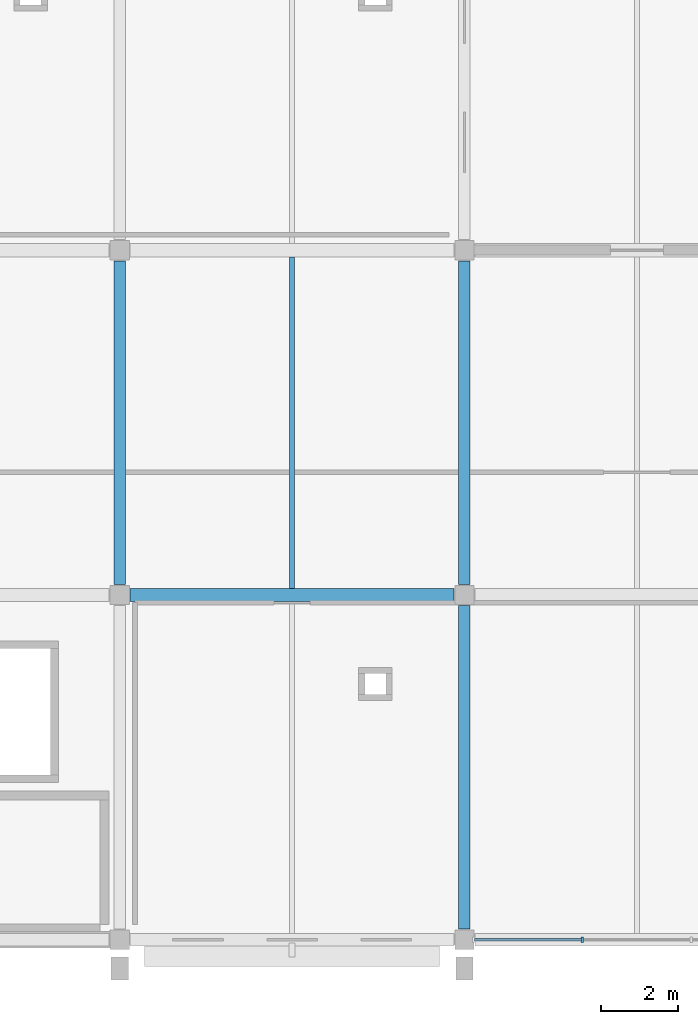
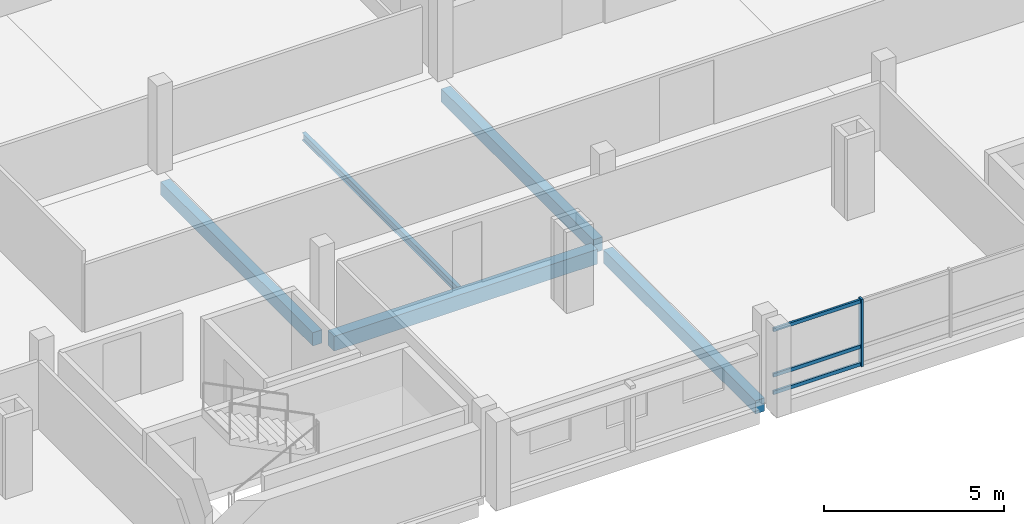
# One storey, part 3 of 25: 5 beams, 4 members, 1 element without a shape of its own.
"""IFC4 building model written with IfcOpenShell, lengths in metres."""

from ifc_helpers import new_model, si_unit, direction, frame, origin, origin_2d, place, context, subcontext, project, spatial, rectangle, i_section, extrude, material, material_profile, profile_set, type_object, element, aggregate, save


model = new_model("IFC4")

# Units and contexts
model_context = context("Model", 3, precision=1e-05, world=origin(), true_north=direction((0.0, 1.0)))
body_context = subcontext(model_context, "Body", "Model", "MODEL_VIEW")
ifc_project = project(units=[si_unit("LENGTHUNIT", "METRE"), si_unit("AREAUNIT", "SQUARE_METRE"), si_unit("VOLUMEUNIT", "CUBIC_METRE"), si_unit("PLANEANGLEUNIT", "RADIAN"), si_unit("MASSUNIT", "GRAM", prefix="KILO")], contexts=[model_context])

# Site, building, storey
site_placement = place(None, origin())
site = spatial("IfcSite", under=ifc_project, at=site_placement, CompositionType="ELEMENT")
building_placement = place(site_placement, origin())
building = spatial("IfcBuilding", under=site, at=building_placement, Name="Tharagai Park Tramway Depot", CompositionType="ELEMENT")
storey_placement = place(building_placement, frame((0.0, 0.0, 12.0)))
storey = spatial("IfcBuildingStorey", under=building, at=storey_placement, Name="L03", CompositionType="ELEMENT", Elevation=12.0)

# Beams
ifc_material_1 = material(Name="Concrete M35", Category="concrete")
ifc_material_profile_1 = material_profile(ifc_material_1, rectangle(XDim=0.35009765625, YDim=0.5, at=origin_2d()), Name="RC 350x500")
ifc_profile_set_1 = profile_set([ifc_material_profile_1], Name="Concrete M35")
beam_type_1 = type_object("IfcBeamType", Name="BM-11", PredefinedType="BEAM", material=ifc_profile_set_1)
beam_1_placement = place(storey_placement, frame((18.27490234375, 9.0, -0.5), z_axis=(1.0, 0.0, 0.0), x_axis=(0.0, 1.0, 0.0)))
element("IfcBeam", 1, at=beam_1_placement, inside=storey, type_object=beam_type_1, Name="L03 Grid Beam BM-11", PredefinedType="BEAM", context=body_context, shape_type="SweptSolid", body=[
    extrude(rectangle(XDim=0.35009765625, YDim=0.5, at=origin_2d()), origin(), (0.0, 0.0, 1.0), 8.4501953125),
])
ifc_material_profile_2 = material_profile(ifc_material_1, rectangle(XDim=0.300048828125, YDim=0.449951171875, at=origin_2d()), Name="RC 300x450")
ifc_profile_set_2 = profile_set([ifc_material_profile_2], Name="Concrete M35")
beam_type_2 = type_object("IfcBeamType", Name="BM-14", PredefinedType="BEAM", material=ifc_profile_set_2)
for number, where, z_axis, x_axis, name in (
    (2, (18.0, 9.27490234375, -0.47509765625), (0.0, 1.0, 0.0), (-1.0, 0.0, 0.0), "L03 Grid Beam BM-14"),
    (3, (27.0, 0.27490234375, -0.47509765625), (0.0, 1.0, 0.0), (-1.0, 0.0, 0.0), "L03 Grid Beam BM-14"),
    (4, (27.0, 9.27490234375, -0.47509765625), (0.0, 1.0, 0.0), (-1.0, 0.0, 0.0), "L03 Grid Beam BM-14"),
):
    element("IfcBeam", number, at=place(storey_placement, frame(where, z_axis=z_axis, x_axis=x_axis)), inside=storey, type_object=beam_type_2, Name=name, PredefinedType="BEAM", context=body_context, shape_type="SweptSolid", body=[
        extrude(rectangle(XDim=0.300048828125, YDim=0.449951171875, at=origin_2d()), origin(), (0.0, 0.0, 1.0), 8.4501953125),
    ])

# Curtain wall, members
ifc_material_2 = material(Name="Anodised aluminium", Category="aluminium")
curtain_wall_type = type_object("IfcCurtainWallType", Name="CW-01", PredefinedType="NOTDEFINED", material=ifc_material_2)
curtain_wall_placement = place(storey_placement, origin())
curtain_wall = element("IfcCurtainWall", 5, at=curtain_wall_placement, inside=storey, type_object=curtain_wall_type, Name="L03 V4 Gothic Mullioned Curtain Wall CW-01", PredefinedType="NOTDEFINED")
ifc_material_profile_3 = material_profile(ifc_material_2, rectangle(XDim=0.06494140625, YDim=0.1201171875, at=origin_2d()), Name="ALU 65x120")
ifc_profile_set_3 = profile_set([ifc_material_profile_3], Name="Anodised aluminium")
member_type_1 = type_object("IfcMemberType", Name="CM-01", PredefinedType="USERDEFINED", material=ifc_profile_set_3)
member_1_placement = place(storey_placement, frame((27.2548828125, 0.0, 0.06005859375), z_axis=(1.0, 0.0, 0.0), x_axis=(0.0, 1.0, 0.0)))
member_1 = element("IfcMember", 6, at=member_1_placement, type_object=member_type_1, Name="L03 V4 Gothic Mullioned Curtain Wall Transom 1.1", ObjectType="TRANSOM", PredefinedType="USERDEFINED", context=body_context, shape_type="SweptSolid", body=[
    extrude(rectangle(XDim=0.06494140625, YDim=0.1201171875, at=origin_2d()), origin(), (0.0, 0.0, 1.0), 2.81005859375),
])
member_2_placement = place(storey_placement, frame((27.2548828125, 0.0, 0.64990234375), z_axis=(1.0, 0.0, 0.0), x_axis=(0.0, 1.0, 0.0)))
member_2 = element("IfcMember", 7, at=member_2_placement, type_object=member_type_1, Name="L03 V4 Gothic Mullioned Curtain Wall Transom 1.2", ObjectType="TRANSOM", PredefinedType="USERDEFINED", context=body_context, shape_type="SweptSolid", body=[
    extrude(rectangle(XDim=0.06494140625, YDim=0.1201171875, at=origin_2d()), origin(), (0.0, 0.0, 1.0), 2.81005859375),
])
member_3_placement = place(storey_placement, frame((27.2548828125, 0.0, 2.18994140625), z_axis=(1.0, 0.0, 0.0), x_axis=(0.0, 1.0, 0.0)))
member_3 = element("IfcMember", 8, at=member_3_placement, type_object=member_type_1, Name="L03 V4 Gothic Mullioned Curtain Wall Transom 1.3", ObjectType="TRANSOM", PredefinedType="USERDEFINED", context=body_context, shape_type="SweptSolid", body=[
    extrude(rectangle(XDim=0.06494140625, YDim=0.1201171875, at=origin_2d()), origin(), (0.0, 0.0, 1.0), 2.81005859375),
])
ifc_material_profile_4 = material_profile(ifc_material_2, rectangle(XDim=0.06494140625, YDim=0.14990234375, at=origin_2d()), Name="ALU 65x150")
ifc_profile_set_4 = profile_set([ifc_material_profile_4], Name="Anodised aluminium")
member_type_2 = type_object("IfcMemberType", Name="CM-03", PredefinedType="MULLION", material=ifc_profile_set_4)
member_4_placement = place(storey_placement, frame((30.080078125, 0.0, -0.0048828125), z_axis=(0.0, 0.0, 1.0), x_axis=(1.0, 0.0, 0.0)))
member_4 = element("IfcMember", 9, at=member_4_placement, type_object=member_type_2, Name="L03 V4 Gothic Mullioned Curtain Wall Mullion 2", PredefinedType="MULLION", context=body_context, shape_type="SweptSolid", body=[
    extrude(rectangle(XDim=0.06494140625, YDim=0.14990234375, at=origin_2d()), origin(), (0.0, 0.0, 1.0), 2.27978515625),
])
aggregate(curtain_wall, [member_4, member_1, member_2, member_3])

# Beam
ifc_material_3 = material(Name="Steel E250", Category="steel")
ifc_material_profile_5 = material_profile(ifc_material_3, i_section(OverallWidth=0.125, OverallDepth=0.25, WebThickness=0.006103515625, FlangeThickness=0.00830078125, FilletRadius=0.010009765625, at=origin_2d()), Name="ISLB 250")
ifc_profile_set_5 = profile_set([ifc_material_profile_5], Name="Steel E250")
beam_type_3 = type_object("IfcBeamType", Name="JT-04", PredefinedType="JOIST", material=ifc_profile_set_5)
beam_2_placement = place(storey_placement, frame((22.5, 9.175048828125, -0.375), z_axis=(0.0, 1.0, 0.0), x_axis=(-1.0, 0.0, 0.0)))
element("IfcBeam", 10, at=beam_2_placement, inside=storey, type_object=beam_type_3, Name="L03 Secondary Joist JT-04", PredefinedType="JOIST", context=body_context, shape_type="SweptSolid", body=[
    extrude(i_section(OverallWidth=0.125, OverallDepth=0.25, WebThickness=0.006103515625, FlangeThickness=0.00830078125, FilletRadius=0.010009765625, at=origin_2d()), origin(), (0.0, 0.0, 1.0), 8.64990234375),
])

save(model, "model.ifc")
